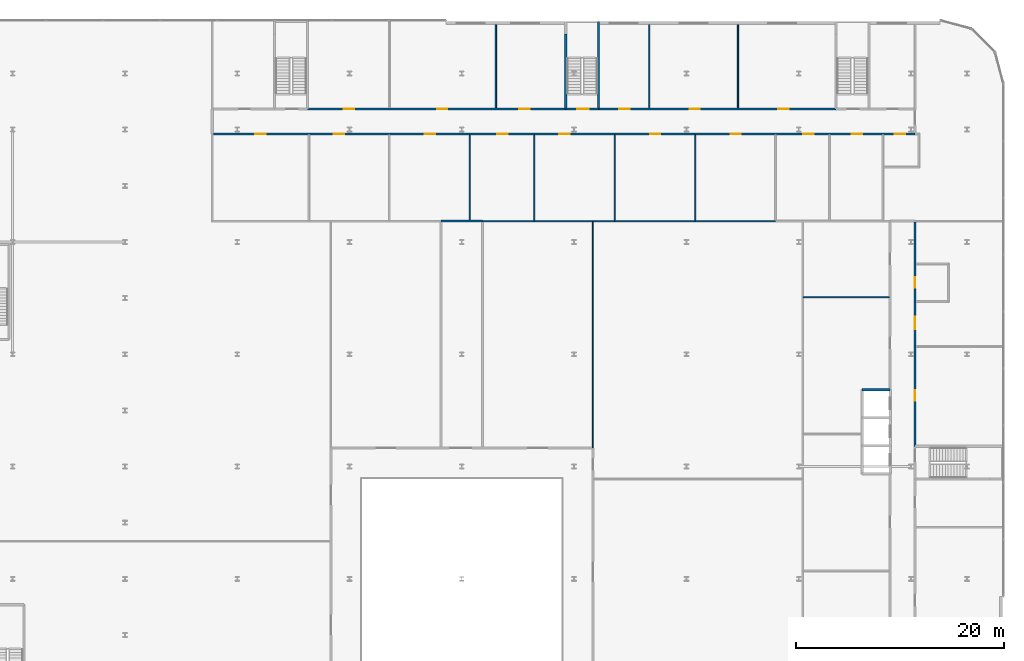
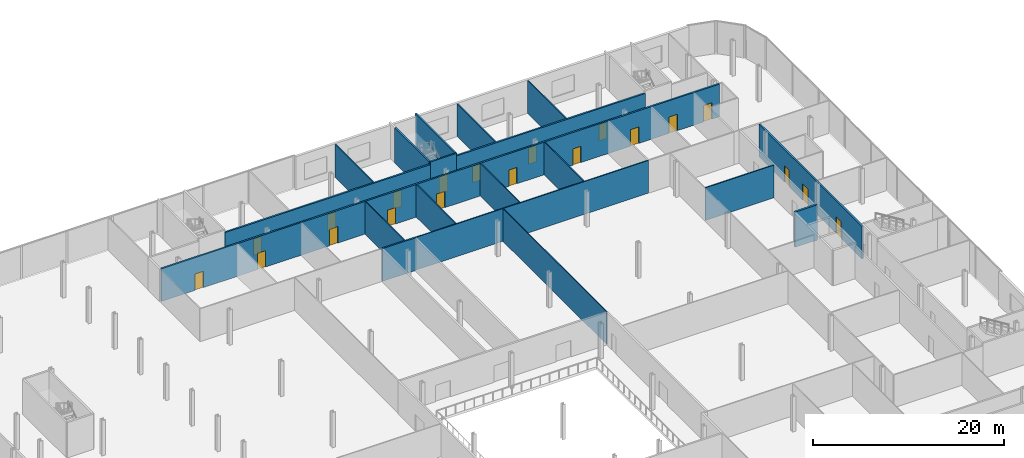
# One storey, part 35 of 47: 20 doors, 19 walls, 20 openings.
"""IFC4 building model written with IfcOpenShell, lengths in metres."""

from ifc_helpers import new_model, si_unit, direction, frame, frame_2d, origin, place, context, subcontext, project, spatial, rectangle, extrude, source, transform, mapped, material, layer, layer_set, type_object, element, fill, save


model = new_model("IFC4")

# Units and contexts
model_context = context("Model", 3, precision=1e-05, world=origin(), true_north=direction((0.0, 1.0)))
body_context = subcontext(model_context, "Body", "Model", "MODEL_VIEW")
ifc_project = project(units=[si_unit("LENGTHUNIT", "METRE"), si_unit("AREAUNIT", "SQUARE_METRE"), si_unit("VOLUMEUNIT", "CUBIC_METRE"), si_unit("PLANEANGLEUNIT", "RADIAN"), si_unit("MASSUNIT", "GRAM", prefix="KILO")], contexts=[model_context])

# Site, building, storey
site_placement = place(None, origin())
site = spatial("IfcSite", under=ifc_project, at=site_placement, CompositionType="ELEMENT")
building_placement = place(site_placement, origin())
building = spatial("IfcBuilding", under=site, at=building_placement, Name="Kheshtan School and Residences Tower", CompositionType="ELEMENT")
storey_placement = place(building_placement, frame((0.0, 0.0, 21.5)))
storey = spatial("IfcBuildingStorey", under=building, at=storey_placement, Name="L04", CompositionType="ELEMENT", Elevation=21.5)

# Walls
ifc_material_1 = material(Name="Gypsum board on steel studs with mineral wool", Category="steel")
ifc_layer_1 = layer(ifc_material_1, 0.125)
ifc_layer_set_1 = layer_set([ifc_layer_1], Name="Acoustic partition 125")
wall_type_1 = type_object("IfcWallType", Name="Acoustic partition 125", PredefinedType="PARTITIONING", material=ifc_layer_set_1)
wall_1_placement = place(storey_placement, frame((80.76904296875, 90.89990234375, 0.0), z_axis=(0.0, 0.0, 1.0), x_axis=(0.0, 1.0, 0.0)))
element("IfcWall", 1, at=wall_1_placement, inside=storey, type_object=wall_type_1, Name="Partition L04-039", PredefinedType="PARTITIONING", context=body_context, shape_type="SweptSolid", body=[
    extrude(rectangle(XDim=8.2001953125, YDim=0.125, at=frame_2d((4.10009765625, 0.0))), origin(), (0.0, 0.0, 1.0), 4.179931640625),
])
wall_2_placement = place(storey_placement, frame((82.0, 90.800048828125, 0.0), z_axis=(0.0, 0.0, 1.0), x_axis=(1.0, 0.0, 0.0)))
element("IfcWall", 2, at=wall_2_placement, inside=storey, type_object=wall_type_1, Name="Partition L04-041", PredefinedType="PARTITIONING", context=body_context, shape_type="SweptSolid", body=[
    extrude(rectangle(XDim=28.18310546875, YDim=0.125, at=frame_2d((14.091552734375, 0.0))), origin(), (0.0, 0.0, 1.0), 4.179931640625),
])
for number, where, z_axis, x_axis, name in (
    (3, (86.9619140625, 90.862060546875, 0.0), (0.0, 0.0, 1.0), (0.0, 1.0, 0.0), "Partition L04-043"),
    (4, (94.701904296875, 90.862060546875, 0.0), (0.0, 0.0, 1.0), (0.0, 1.0, 0.0), "Partition L04-058"),
):
    element("IfcWall", number, at=place(storey_placement, frame(where, z_axis=z_axis, x_axis=x_axis)), inside=storey, type_object=wall_type_1, Name=name, PredefinedType="PARTITIONING", context=body_context, shape_type="SweptSolid", body=[
        extrude(rectangle(XDim=8.238037109375, YDim=0.125, at=frame_2d((4.119140625, 0.0))), origin(), (0.0, 0.0, 1.0), 4.179931640625),
    ])
wall_3_placement = place(storey_placement, frame((98.037109375, 101.699951171875, 0.0), z_axis=(0.0, 0.0, 1.0), x_axis=(0.0, 1.0, 0.0)))
element("IfcWall", 5, at=wall_3_placement, inside=storey, type_object=wall_type_1, Name="Partition L04-059", PredefinedType="PARTITIONING", context=body_context, shape_type="SweptSolid", body=[
    extrude(rectangle(XDim=8.0009765625, YDim=0.125, at=frame_2d((4.00048828125, 0.0))), origin(), (0.0, 0.0, 1.0), 4.179931640625),
])
wall_4_placement = place(storey_placement, frame((102.443115234375, 90.862060546875, 0.0), z_axis=(0.0, 0.0, 1.0), x_axis=(0.0, 1.0, 0.0)))
element("IfcWall", 6, at=wall_4_placement, inside=storey, type_object=wall_type_1, Name="Partition L04-060", PredefinedType="PARTITIONING", context=body_context, shape_type="SweptSolid", body=[
    extrude(rectangle(XDim=8.238037109375, YDim=0.125, at=frame_2d((4.119140625, 0.0))), origin(), (0.0, 0.0, 1.0), 4.179931640625),
])
wall_5_placement = place(storey_placement, frame((106.55810546875, 101.699951171875, 0.0), z_axis=(0.0, 0.0, 1.0), x_axis=(0.0, 1.0, 0.0)))
element("IfcWall", 7, at=wall_5_placement, inside=storey, type_object=wall_type_1, Name="Partition L04-063", PredefinedType="PARTITIONING", context=body_context, shape_type="SweptSolid", body=[
    extrude(rectangle(XDim=8.0009765625, YDim=0.125, at=frame_2d((4.00048828125, 0.0))), origin(), (0.0, 0.0, 1.0), 4.179931640625),
])
wall_6_placement = place(storey_placement, frame((112.862060546875, 83.487060546875, 0.0), z_axis=(0.0, 0.0, 1.0), x_axis=(1.0, 0.0, 0.0)))
element("IfcWall", 8, at=wall_6_placement, inside=storey, type_object=wall_type_1, Name="Partition L04-072", PredefinedType="PARTITIONING", context=body_context, shape_type="SweptSolid", body=[
    extrude(rectangle(XDim=8.238037109375, YDim=0.125, at=frame_2d((4.119140625, 0.0))), origin(), (0.0, 0.0, 1.0), 4.179931640625),
])

# Wall, openings, doors
ifc_material_2 = material(Name="Gypsum board on steel studs with fire boards", Category="steel")
ifc_layer_2 = layer(ifc_material_2, 0.199951171875)
ifc_layer_set_2 = layer_set([ifc_layer_2], Name="Corridor wall 200")
wall_type_2 = type_object("IfcWallType", Name="Corridor wall 200", PredefinedType="PARTITIONING", material=ifc_layer_set_2)
wall_7_placement = place(storey_placement, frame((56.10009765625, 99.199951171875, 0.0), z_axis=(0.0, 0.0, 1.0), x_axis=(1.0, 0.0, 0.0)))
wall_7 = element("IfcWall", 9, at=wall_7_placement, inside=storey, type_object=wall_type_2, Name="Partition L04-024", PredefinedType="PARTITIONING", context=body_context, shape_type="SweptSolid", body=[
    extrude(rectangle(XDim=67.5, YDim=0.199951171875, at=frame_2d((33.75, 0.0))), origin(), (0.0, 0.0, 1.0), 4.179931640625),
])
opening_1_placement = place(wall_7_placement, frame((4.050048828125, 0.0, 0.0)))
opening_1 = element("IfcOpeningElement", 10, at=opening_1_placement, cuts=wall_7, Name="Opening D04-013", PredefinedType="OPENING", context=body_context, shape_type="SweptSolid", body=[
    extrude(rectangle(XDim=1.0, YDim=2.10009765625, at=frame_2d((0.5, 1.050048828125))), frame((0.0, 0.10986328125, 0.0), z_axis=(0.0, -1.0, 0.0), x_axis=(1.0, 0.0, 0.0)), (0.0, 0.0, 1.0), 0.219970703125),
])
opening_2_placement = place(wall_7_placement, frame((65.553955078125, 0.0, 0.0)))
opening_2 = element("IfcOpeningElement", 11, at=opening_2_placement, cuts=wall_7, Name="Opening D04-014", PredefinedType="OPENING", context=body_context, shape_type="SweptSolid", body=[
    extrude(rectangle(XDim=1.0, YDim=2.10009765625, at=frame_2d((0.5, 1.050048828125))), frame((0.0, 0.10986328125, 0.0), z_axis=(0.0, -1.0, 0.0), x_axis=(1.0, 0.0, 0.0)), (0.0, 0.0, 1.0), 0.219970703125),
])
opening_3_placement = place(wall_7_placement, frame((11.589111328125, 0.0, 0.0)))
opening_3 = element("IfcOpeningElement", 12, at=opening_3_placement, cuts=wall_7, Name="Opening D04-016", PredefinedType="OPENING", context=body_context, shape_type="SweptSolid", body=[
    extrude(rectangle(XDim=1.0, YDim=2.10009765625, at=frame_2d((0.5, 1.050048828125))), frame((0.0, 0.10986328125, 0.0), z_axis=(0.0, -1.0, 0.0), x_axis=(1.0, 0.0, 0.0)), (0.0, 0.0, 1.0), 0.219970703125),
])
opening_4_placement = place(wall_7_placement, frame((20.3291015625, 0.0, 0.0)))
opening_4 = element("IfcOpeningElement", 13, at=opening_4_placement, cuts=wall_7, Name="Opening D04-017", PredefinedType="OPENING", context=body_context, shape_type="SweptSolid", body=[
    extrude(rectangle(XDim=1.0, YDim=2.10009765625, at=frame_2d((0.5, 1.050048828125))), frame((0.0, 0.10986328125, 0.0), z_axis=(0.0, -1.0, 0.0), x_axis=(1.0, 0.0, 0.0)), (0.0, 0.0, 1.0), 0.219970703125),
])
opening_5_placement = place(wall_7_placement, frame((27.319091796875, 0.0, 0.0)))
opening_5 = element("IfcOpeningElement", 14, at=opening_5_placement, cuts=wall_7, Name="Opening D04-018", PredefinedType="OPENING", context=body_context, shape_type="SweptSolid", body=[
    extrude(rectangle(XDim=1.0, YDim=2.10009765625, at=frame_2d((0.5, 1.050048828125))), frame((0.0, 0.10986328125, 0.0), z_axis=(0.0, -1.0, 0.0), x_axis=(1.0, 0.0, 0.0)), (0.0, 0.0, 1.0), 0.219970703125),
])
opening_6_placement = place(wall_7_placement, frame((33.261962890625, 0.0, 0.0)))
opening_6 = element("IfcOpeningElement", 15, at=opening_6_placement, cuts=wall_7, Name="Opening D04-019", PredefinedType="OPENING", context=body_context, shape_type="SweptSolid", body=[
    extrude(rectangle(XDim=1.0, YDim=2.10009765625, at=frame_2d((0.5, 1.050048828125))), frame((0.0, 0.10986328125, 0.0), z_axis=(0.0, -1.0, 0.0), x_axis=(1.0, 0.0, 0.0)), (0.0, 0.0, 1.0), 0.219970703125),
])
opening_7_placement = place(wall_7_placement, frame((42.001953125, 0.0, 0.0)))
opening_7 = element("IfcOpeningElement", 16, at=opening_7_placement, cuts=wall_7, Name="Opening D04-020", PredefinedType="OPENING", context=body_context, shape_type="SweptSolid", body=[
    extrude(rectangle(XDim=1.0, YDim=2.10009765625, at=frame_2d((0.5, 1.050048828125))), frame((0.0, 0.10986328125, 0.0), z_axis=(0.0, -1.0, 0.0), x_axis=(1.0, 0.0, 0.0)), (0.0, 0.0, 1.0), 0.219970703125),
])
opening_8_placement = place(wall_7_placement, frame((49.742919921875, 0.0, 0.0)))
opening_8 = element("IfcOpeningElement", 17, at=opening_8_placement, cuts=wall_7, Name="Opening D04-021", PredefinedType="OPENING", context=body_context, shape_type="SweptSolid", body=[
    extrude(rectangle(XDim=1.0, YDim=2.10009765625, at=frame_2d((0.5, 1.050048828125))), frame((0.0, 0.10986328125, 0.0), z_axis=(0.0, -1.0, 0.0), x_axis=(1.0, 0.0, 0.0)), (0.0, 0.0, 1.0), 0.219970703125),
])
opening_9_placement = place(wall_7_placement, frame((56.73291015625, 0.0, 0.0)))
opening_9 = element("IfcOpeningElement", 18, at=opening_9_placement, cuts=wall_7, Name="Opening D04-022", PredefinedType="OPENING", context=body_context, shape_type="SweptSolid", body=[
    extrude(rectangle(XDim=1.0, YDim=2.10009765625, at=frame_2d((0.5, 1.050048828125))), frame((0.0, 0.10986328125, 0.0), z_axis=(0.0, -1.0, 0.0), x_axis=(1.0, 0.0, 0.0)), (0.0, 0.0, 1.0), 0.219970703125),
])
opening_10_placement = place(wall_7_placement, frame((61.39404296875, 0.0, 0.0)))
opening_10 = element("IfcOpeningElement", 19, at=opening_10_placement, cuts=wall_7, Name="Opening D04-023", PredefinedType="OPENING", context=body_context, shape_type="SweptSolid", body=[
    extrude(rectangle(XDim=1.0, YDim=2.10009765625, at=frame_2d((0.5, 1.050048828125))), frame((0.0, 0.10986328125, 0.0), z_axis=(0.0, -1.0, 0.0), x_axis=(1.0, 0.0, 0.0)), (0.0, 0.0, 1.0), 0.219970703125),
])
ifc_material_3 = material(Name="Steel-framed fire-resisting door leaf", Category="steel")
door_type_1 = type_object("IfcDoorType", Name="Fire door FD60 1000 x 2100", OperationType="SINGLE_SWING_LEFT", PredefinedType="DOOR", material=ifc_material_3)
shared_shape_1 = source(origin(), body_context, "Body", "SweptSolid", [
    extrude(rectangle(XDim=1.0, YDim=2.10009765625, at=frame_2d((0.5, 1.050048828125))), frame((0.0, 0.02490234375, 0.0), z_axis=(0.0, -1.0, 0.0), x_axis=(1.0, 0.0, 0.0)), (0.0, 0.0, 1.0), 0.050048828125),
])
door_1_placement = place(opening_1_placement, origin())
door_1 = element("IfcDoor", 20, at=door_1_placement, inside=storey, type_object=door_type_1, Name="Door D04-013", OperationType="SINGLE_SWING_LEFT", OverallHeight=2.10009765625, OverallWidth=1.0, PredefinedType="DOOR", context=body_context, shape_type="MappedRepresentation", body=[
    mapped(shared_shape_1, transform((0.0, 0.0, 0.0), x_axis=(1.0, 0.0, 0.0), y_axis=(0.0, 1.0, 0.0), z_axis=(0.0, 0.0, 1.0), scale=1.0)),
])
fill(opening_1, door_1)
door_2_placement = place(opening_2_placement, origin())
door_2 = element("IfcDoor", 21, at=door_2_placement, inside=storey, type_object=door_type_1, Name="Door D04-014", OperationType="SINGLE_SWING_RIGHT", OverallHeight=2.10009765625, OverallWidth=1.0, PredefinedType="DOOR", context=body_context, shape_type="MappedRepresentation", body=[
    mapped(shared_shape_1, transform((0.0, 0.0, 0.0), x_axis=(1.0, 0.0, 0.0), y_axis=(0.0, 1.0, 0.0), z_axis=(0.0, 0.0, 1.0), scale=1.0)),
])
fill(opening_2, door_2)
door_3_placement = place(opening_3_placement, origin())
door_3 = element("IfcDoor", 22, at=door_3_placement, inside=storey, type_object=door_type_1, Name="Door D04-016", OperationType="SINGLE_SWING_LEFT", OverallHeight=2.10009765625, OverallWidth=1.0, PredefinedType="DOOR", context=body_context, shape_type="MappedRepresentation", body=[
    mapped(shared_shape_1, transform((0.0, 0.0, 0.0), x_axis=(1.0, 0.0, 0.0), y_axis=(0.0, 1.0, 0.0), z_axis=(0.0, 0.0, 1.0), scale=1.0)),
])
fill(opening_3, door_3)
door_4_placement = place(opening_4_placement, origin())
door_4 = element("IfcDoor", 23, at=door_4_placement, inside=storey, type_object=door_type_1, Name="Door D04-017", OperationType="SINGLE_SWING_RIGHT", OverallHeight=2.10009765625, OverallWidth=1.0, PredefinedType="DOOR", context=body_context, shape_type="MappedRepresentation", body=[
    mapped(shared_shape_1, transform((0.0, 0.0, 0.0), x_axis=(1.0, 0.0, 0.0), y_axis=(0.0, 1.0, 0.0), z_axis=(0.0, 0.0, 1.0), scale=1.0)),
])
fill(opening_4, door_4)
door_5_placement = place(opening_5_placement, origin())
door_5 = element("IfcDoor", 24, at=door_5_placement, inside=storey, type_object=door_type_1, Name="Door D04-018", OperationType="SINGLE_SWING_RIGHT", OverallHeight=2.10009765625, OverallWidth=1.0, PredefinedType="DOOR", context=body_context, shape_type="MappedRepresentation", body=[
    mapped(shared_shape_1, transform((0.0, 0.0, 0.0), x_axis=(1.0, 0.0, 0.0), y_axis=(0.0, 1.0, 0.0), z_axis=(0.0, 0.0, 1.0), scale=1.0)),
])
fill(opening_5, door_5)
door_6_placement = place(opening_6_placement, origin())
door_6 = element("IfcDoor", 25, at=door_6_placement, inside=storey, type_object=door_type_1, Name="Door D04-019", OperationType="SINGLE_SWING_RIGHT", OverallHeight=2.10009765625, OverallWidth=1.0, PredefinedType="DOOR", context=body_context, shape_type="MappedRepresentation", body=[
    mapped(shared_shape_1, transform((0.0, 0.0, 0.0), x_axis=(1.0, 0.0, 0.0), y_axis=(0.0, 1.0, 0.0), z_axis=(0.0, 0.0, 1.0), scale=1.0)),
])
fill(opening_6, door_6)
door_7_placement = place(opening_7_placement, origin())
door_7 = element("IfcDoor", 26, at=door_7_placement, inside=storey, type_object=door_type_1, Name="Door D04-020", OperationType="SINGLE_SWING_LEFT", OverallHeight=2.10009765625, OverallWidth=1.0, PredefinedType="DOOR", context=body_context, shape_type="MappedRepresentation", body=[
    mapped(shared_shape_1, transform((0.0, 0.0, 0.0), x_axis=(1.0, 0.0, 0.0), y_axis=(0.0, 1.0, 0.0), z_axis=(0.0, 0.0, 1.0), scale=1.0)),
])
fill(opening_7, door_7)
door_8_placement = place(opening_8_placement, origin())
door_8 = element("IfcDoor", 27, at=door_8_placement, inside=storey, type_object=door_type_1, Name="Door D04-021", OperationType="SINGLE_SWING_RIGHT", OverallHeight=2.10009765625, OverallWidth=1.0, PredefinedType="DOOR", context=body_context, shape_type="MappedRepresentation", body=[
    mapped(shared_shape_1, transform((0.0, 0.0, 0.0), x_axis=(1.0, 0.0, 0.0), y_axis=(0.0, 1.0, 0.0), z_axis=(0.0, 0.0, 1.0), scale=1.0)),
])
fill(opening_8, door_8)
door_9_placement = place(opening_9_placement, origin())
door_9 = element("IfcDoor", 28, at=door_9_placement, inside=storey, type_object=door_type_1, Name="Door D04-022", OperationType="SINGLE_SWING_LEFT", OverallHeight=2.10009765625, OverallWidth=1.0, PredefinedType="DOOR", context=body_context, shape_type="MappedRepresentation", body=[
    mapped(shared_shape_1, transform((0.0, 0.0, 0.0), x_axis=(1.0, 0.0, 0.0), y_axis=(0.0, 1.0, 0.0), z_axis=(0.0, 0.0, 1.0), scale=1.0)),
])
fill(opening_9, door_9)
door_10_placement = place(opening_10_placement, origin())
door_10 = element("IfcDoor", 29, at=door_10_placement, inside=storey, type_object=door_type_1, Name="Door D04-023", OperationType="SINGLE_SWING_LEFT", OverallHeight=2.10009765625, OverallWidth=1.0, PredefinedType="DOOR", context=body_context, shape_type="MappedRepresentation", body=[
    mapped(shared_shape_1, transform((0.0, 0.0, 0.0), x_axis=(1.0, 0.0, 0.0), y_axis=(0.0, 1.0, 0.0), z_axis=(0.0, 0.0, 1.0), scale=1.0)),
])
fill(opening_10, door_10)

wall_8_placement = place(storey_placement, frame((65.14990234375, 101.60009765625, 0.0), z_axis=(0.0, 0.0, 1.0), x_axis=(1.0, 0.0, 0.0)))
wall_8 = element("IfcWall", 30, at=wall_8_placement, inside=storey, type_object=wall_type_2, Name="Partition L04-026", PredefinedType="PARTITIONING", context=body_context, shape_type="SweptSolid", body=[
    extrude(rectangle(XDim=24.85009765625, YDim=0.199951171875, at=frame_2d((12.425048828125, 0.0))), origin(), (0.0, 0.0, 1.0), 4.179931640625),
])
opening_11_placement = place(wall_8_placement, frame((3.491943359375, 0.0, 0.0)))
opening_11 = element("IfcOpeningElement", 31, at=opening_11_placement, cuts=wall_8, Name="Opening D04-025", PredefinedType="OPENING", context=body_context, shape_type="SweptSolid", body=[
    extrude(rectangle(XDim=1.0, YDim=2.10009765625, at=frame_2d((0.5, 1.050048828125))), frame((0.0, 0.10986328125, 0.0), z_axis=(0.0, -1.0, 0.0), x_axis=(1.0, 0.0, 0.0)), (0.0, 0.0, 1.0), 0.219970703125),
])
opening_12_placement = place(wall_8_placement, frame((12.467041015625, 0.0, 0.0)))
opening_12 = element("IfcOpeningElement", 32, at=opening_12_placement, cuts=wall_8, Name="Opening D04-026", PredefinedType="OPENING", context=body_context, shape_type="SweptSolid", body=[
    extrude(rectangle(XDim=1.0, YDim=2.10009765625, at=frame_2d((0.5, 1.050048828125))), frame((0.0, 0.10986328125, 0.0), z_axis=(0.0, -1.0, 0.0), x_axis=(1.0, 0.0, 0.0)), (0.0, 0.0, 1.0), 0.219970703125),
])
opening_13_placement = place(wall_8_placement, frame((20.39794921875, 0.0, 0.0)))
opening_13 = element("IfcOpeningElement", 33, at=opening_13_placement, cuts=wall_8, Name="Opening D04-027", PredefinedType="OPENING", context=body_context, shape_type="SweptSolid", body=[
    extrude(rectangle(XDim=1.0, YDim=2.10009765625, at=frame_2d((0.5, 1.050048828125))), frame((0.0, 0.10986328125, 0.0), z_axis=(0.0, -1.0, 0.0), x_axis=(1.0, 0.0, 0.0)), (0.0, 0.0, 1.0), 0.219970703125),
])
door_11_placement = place(opening_11_placement, origin())
door_11 = element("IfcDoor", 34, at=door_11_placement, inside=storey, type_object=door_type_1, Name="Door D04-025", OperationType="SINGLE_SWING_LEFT", OverallHeight=2.10009765625, OverallWidth=1.0, PredefinedType="DOOR", context=body_context, shape_type="MappedRepresentation", body=[
    mapped(shared_shape_1, transform((0.0, 0.0, 0.0), x_axis=(1.0, 0.0, 0.0), y_axis=(0.0, 1.0, 0.0), z_axis=(0.0, 0.0, 1.0), scale=1.0)),
])
fill(opening_11, door_11)
door_12_placement = place(opening_12_placement, origin())
door_12 = element("IfcDoor", 35, at=door_12_placement, inside=storey, type_object=door_type_1, Name="Door D04-026", OperationType="SINGLE_SWING_LEFT", OverallHeight=2.10009765625, OverallWidth=1.0, PredefinedType="DOOR", context=body_context, shape_type="MappedRepresentation", body=[
    mapped(shared_shape_1, transform((0.0, 0.0, 0.0), x_axis=(1.0, 0.0, 0.0), y_axis=(0.0, 1.0, 0.0), z_axis=(0.0, 0.0, 1.0), scale=1.0)),
])
fill(opening_12, door_12)
door_13_placement = place(opening_13_placement, origin())
door_13 = element("IfcDoor", 36, at=door_13_placement, inside=storey, type_object=door_type_1, Name="Door D04-027", OperationType="SINGLE_SWING_RIGHT", OverallHeight=2.10009765625, OverallWidth=1.0, PredefinedType="DOOR", context=body_context, shape_type="MappedRepresentation", body=[
    mapped(shared_shape_1, transform((0.0, 0.0, 0.0), x_axis=(1.0, 0.0, 0.0), y_axis=(0.0, 1.0, 0.0), z_axis=(0.0, 0.0, 1.0), scale=1.0)),
])
fill(opening_13, door_13)

# Wall
wall_9_placement = place(storey_placement, frame((78.0, 90.800048828125, 0.0), z_axis=(0.0, 0.0, 1.0), x_axis=(1.0, 0.0, 0.0)))
element("IfcWall", 37, at=wall_9_placement, inside=storey, type_object=wall_type_2, Name="Partition L04-037", PredefinedType="PARTITIONING", context=body_context, shape_type="SweptSolid", body=[
    extrude(rectangle(XDim=4.0, YDim=0.199951171875, at=frame_2d((2.0, 0.0))), origin(), (0.0, 0.0, 1.0), 4.179931640625),
])

# Wall, openings, doors
wall_10_placement = place(storey_placement, frame((93.14990234375, 101.60009765625, 0.0), z_axis=(0.0, 0.0, 1.0), x_axis=(1.0, 0.0, 0.0)))
wall_10 = element("IfcWall", 38, at=wall_10_placement, inside=storey, type_object=wall_type_2, Name="Partition L04-057", PredefinedType="PARTITIONING", context=body_context, shape_type="SweptSolid", body=[
    extrude(rectangle(XDim=22.85009765625, YDim=0.199951171875, at=frame_2d((11.425048828125, 0.0))), origin(), (0.0, 0.0, 1.0), 4.179931640625),
])
opening_14_placement = place(wall_10_placement, frame((1.987060546875, 0.0, 0.0)))
opening_14 = element("IfcOpeningElement", 39, at=opening_14_placement, cuts=wall_10, Name="Opening D04-028", PredefinedType="OPENING", context=body_context, shape_type="SweptSolid", body=[
    extrude(rectangle(XDim=1.0, YDim=2.10009765625, at=frame_2d((0.5, 1.050048828125))), frame((0.0, 0.10986328125, 0.0), z_axis=(0.0, -1.0, 0.0), x_axis=(1.0, 0.0, 0.0)), (0.0, 0.0, 1.0), 0.219970703125),
])
opening_15_placement = place(wall_10_placement, frame((8.758056640625, 0.0, 0.0)))
opening_15 = element("IfcOpeningElement", 40, at=opening_15_placement, cuts=wall_10, Name="Opening D04-029", PredefinedType="OPENING", context=body_context, shape_type="SweptSolid", body=[
    extrude(rectangle(XDim=1.0, YDim=2.10009765625, at=frame_2d((0.5, 1.050048828125))), frame((0.0, 0.10986328125, 0.0), z_axis=(0.0, -1.0, 0.0), x_axis=(1.0, 0.0, 0.0)), (0.0, 0.0, 1.0), 0.219970703125),
])
opening_16_placement = place(wall_10_placement, frame((17.279052734375, 0.0, 0.0)))
opening_16 = element("IfcOpeningElement", 41, at=opening_16_placement, cuts=wall_10, Name="Opening D04-030", PredefinedType="OPENING", context=body_context, shape_type="SweptSolid", body=[
    extrude(rectangle(XDim=1.0, YDim=2.10009765625, at=frame_2d((0.5, 1.050048828125))), frame((0.0, 0.10986328125, 0.0), z_axis=(0.0, -1.0, 0.0), x_axis=(1.0, 0.0, 0.0)), (0.0, 0.0, 1.0), 0.219970703125),
])
door_14_placement = place(opening_14_placement, origin())
door_14 = element("IfcDoor", 42, at=door_14_placement, inside=storey, type_object=door_type_1, Name="Door D04-028", OperationType="SINGLE_SWING_RIGHT", OverallHeight=2.10009765625, OverallWidth=1.0, PredefinedType="DOOR", context=body_context, shape_type="MappedRepresentation", body=[
    mapped(shared_shape_1, transform((0.0, 0.0, 0.0), x_axis=(1.0, 0.0, 0.0), y_axis=(0.0, 1.0, 0.0), z_axis=(0.0, 0.0, 1.0), scale=1.0)),
])
fill(opening_14, door_14)
door_15_placement = place(opening_15_placement, origin())
door_15 = element("IfcDoor", 43, at=door_15_placement, inside=storey, type_object=door_type_1, Name="Door D04-029", OperationType="SINGLE_SWING_RIGHT", OverallHeight=2.10009765625, OverallWidth=1.0, PredefinedType="DOOR", context=body_context, shape_type="MappedRepresentation", body=[
    mapped(shared_shape_1, transform((0.0, 0.0, 0.0), x_axis=(1.0, 0.0, 0.0), y_axis=(0.0, 1.0, 0.0), z_axis=(0.0, 0.0, 1.0), scale=1.0)),
])
fill(opening_15, door_15)
door_16_placement = place(opening_16_placement, origin())
door_16 = element("IfcDoor", 44, at=door_16_placement, inside=storey, type_object=door_type_1, Name="Door D04-030", OperationType="SINGLE_SWING_LEFT", OverallHeight=2.10009765625, OverallWidth=1.0, PredefinedType="DOOR", context=body_context, shape_type="MappedRepresentation", body=[
    mapped(shared_shape_1, transform((0.0, 0.0, 0.0), x_axis=(1.0, 0.0, 0.0), y_axis=(0.0, 1.0, 0.0), z_axis=(0.0, 0.0, 1.0), scale=1.0)),
])
fill(opening_16, door_16)

wall_11_placement = place(storey_placement, frame((123.60009765625, 69.14990234375, 0.0), z_axis=(0.0, 0.0, 1.0), x_axis=(0.0, 1.0, 0.0)))
wall_11 = element("IfcWall", 45, at=wall_11_placement, inside=storey, type_object=wall_type_2, Name="Partition L04-086", PredefinedType="PARTITIONING", context=body_context, shape_type="SweptSolid", body=[
    extrude(rectangle(XDim=21.550048828125, YDim=0.199951171875, at=frame_2d((10.77490234375, 0.0))), origin(), (0.0, 0.0, 1.0), 4.179931640625),
])
opening_17_placement = place(wall_11_placement, frame((4.39990234375, 0.0, 0.0)))
opening_17 = element("IfcOpeningElement", 46, at=opening_17_placement, cuts=wall_11, Name="Opening D04-007", PredefinedType="OPENING", context=body_context, shape_type="SweptSolid", body=[
    extrude(rectangle(XDim=1.0, YDim=2.10009765625, at=frame_2d((0.5, 1.050048828125))), frame((0.0, 0.10986328125, 0.0), z_axis=(0.0, -1.0, 0.0), x_axis=(1.0, 0.0, 0.0)), (0.0, 0.0, 1.0), 0.219970703125),
])
opening_18_placement = place(wall_11_placement, frame((15.238037109375, 0.0, 0.0)))
opening_18 = element("IfcOpeningElement", 47, at=opening_18_placement, cuts=wall_11, Name="Opening D04-008", PredefinedType="OPENING", context=body_context, shape_type="SweptSolid", body=[
    extrude(rectangle(XDim=1.0, YDim=2.10009765625, at=frame_2d((0.5, 1.050048828125))), frame((0.0, 0.10986328125, 0.0), z_axis=(0.0, -1.0, 0.0), x_axis=(1.0, 0.0, 0.0)), (0.0, 0.0, 1.0), 0.219970703125),
])
opening_19_placement = place(wall_11_placement, frame((11.238037109375, 0.0, 0.0)))
opening_19 = element("IfcOpeningElement", 48, at=opening_19_placement, cuts=wall_11, Name="Opening D04-009", PredefinedType="OPENING", context=body_context, shape_type="SweptSolid", body=[
    extrude(rectangle(XDim=1.199951171875, YDim=2.10009765625, at=frame_2d((0.60009765625, 1.050048828125))), frame((0.0, 0.10986328125, 0.0), z_axis=(0.0, -1.0, 0.0), x_axis=(1.0, 0.0, 0.0)), (0.0, 0.0, 1.0), 0.219970703125),
])
door_17_placement = place(opening_17_placement, origin())
door_17 = element("IfcDoor", 49, at=door_17_placement, inside=storey, type_object=door_type_1, Name="Door D04-007", OperationType="SINGLE_SWING_LEFT", OverallHeight=2.10009765625, OverallWidth=1.0, PredefinedType="DOOR", context=body_context, shape_type="MappedRepresentation", body=[
    mapped(shared_shape_1, transform((0.0, 0.0, 0.0), x_axis=(1.0, 0.0, 0.0), y_axis=(0.0, 1.0, 0.0), z_axis=(0.0, 0.0, 1.0), scale=1.0)),
])
fill(opening_17, door_17)
door_18_placement = place(opening_18_placement, origin())
door_18 = element("IfcDoor", 50, at=door_18_placement, inside=storey, type_object=door_type_1, Name="Door D04-008", OperationType="SINGLE_SWING_LEFT", OverallHeight=2.10009765625, OverallWidth=1.0, PredefinedType="DOOR", context=body_context, shape_type="MappedRepresentation", body=[
    mapped(shared_shape_1, transform((0.0, 0.0, 0.0), x_axis=(1.0, 0.0, 0.0), y_axis=(0.0, 1.0, 0.0), z_axis=(0.0, 0.0, 1.0), scale=1.0)),
])
fill(opening_18, door_18)
door_type_2 = type_object("IfcDoorType", Name="Fire door FD60 1200 x 2100", OperationType="SINGLE_SWING_LEFT", PredefinedType="DOOR", material=ifc_material_3)
shared_shape_2 = source(origin(), body_context, "Body", "SweptSolid", [
    extrude(rectangle(XDim=1.199951171875, YDim=2.10009765625, at=frame_2d((0.60009765625, 1.050048828125))), frame((0.0, 0.02490234375, 0.0), z_axis=(0.0, -1.0, 0.0), x_axis=(1.0, 0.0, 0.0)), (0.0, 0.0, 1.0), 0.050048828125),
])
door_19_placement = place(opening_19_placement, origin())
door_19 = element("IfcDoor", 51, at=door_19_placement, inside=storey, type_object=door_type_2, Name="Door D04-009", OperationType="SINGLE_SWING_LEFT", OverallHeight=2.10009765625, OverallWidth=1.199951171875, PredefinedType="DOOR", context=body_context, shape_type="MappedRepresentation", body=[
    mapped(shared_shape_2, transform((0.0, 0.0, 0.0), x_axis=(1.0, 0.0, 0.0), y_axis=(0.0, 1.0, 0.0), z_axis=(0.0, 0.0, 1.0), scale=1.0)),
])
fill(opening_19, door_19)

# Walls
ifc_material_4 = material(Name="Gypsum board on steel studs", Category="steel")
ifc_layer_3 = layer(ifc_material_4, 0.10009765625)
ifc_layer_set_3 = layer_set([ifc_layer_3], Name="Gypsum partition 100")
wall_type_3 = type_object("IfcWallType", Name="Gypsum partition 100", PredefinedType="PARTITIONING", material=ifc_layer_set_3)
wall_12_placement = place(storey_placement, frame((92.60009765625, 69.0, 0.0), z_axis=(0.0, 0.0, 1.0), x_axis=(0.0, 1.0, 0.0)))
element("IfcWall", 52, at=wall_12_placement, inside=storey, type_object=wall_type_3, Name="Partition L04-055", PredefinedType="PARTITIONING", context=body_context, shape_type="SweptSolid", body=[
    extrude(rectangle(XDim=21.738037109375, YDim=0.10009765625, at=frame_2d((10.869140625, 0.0))), origin(), (0.0, 0.0, 1.0), 4.179931640625),
])
ifc_material_5 = material(Name="Fire-board shaft wall system")
ifc_layer_4 = layer(ifc_material_5, 0.25)
ifc_layer_set_4 = layer_set([ifc_layer_4], Name="Shaft lining wall 250")
wall_type_4 = type_object("IfcWallType", Name="Shaft lining wall 250", PredefinedType="PARTITIONING", material=ifc_layer_set_4)
wall_13_placement = place(storey_placement, frame((118.5, 74.60009765625, 0.0), z_axis=(0.0, 0.0, 1.0), x_axis=(1.0, 0.0, 0.0)))
element("IfcWall", 53, at=wall_13_placement, inside=storey, type_object=wall_type_4, Name="Shaft lining wall", PredefinedType="PARTITIONING", context=body_context, shape_type="SweptSolid", body=[
    extrude(rectangle(XDim=2.699951171875, YDim=0.25, at=frame_2d((1.35009765625, 0.0))), origin(), (0.0, 0.0, 1.0), 4.5),
])

# Wall, opening, door
ifc_material_6 = material(Name="Concrete C40/50", Category="concrete")
ifc_layer_5 = layer(ifc_material_6, 0.199951171875)
ifc_layer_set_5 = layer_set([ifc_layer_5], Name="Stair enclosure wall 200 Concrete C40/50")
wall_type_5 = type_object("IfcWallType", Name="Stair enclosure wall 200 Concrete C40/50", PredefinedType="SHEAR", material=ifc_layer_set_5)
wall_14_placement = place(storey_placement, frame((90.0, 101.60009765625, 0.0), z_axis=(0.0, 0.0, 1.0), x_axis=(1.0, 0.0, 0.0)))
wall_14 = element("IfcWall", 54, at=wall_14_placement, inside=storey, type_object=wall_type_5, Name="Stair enclosure wall", PredefinedType="SHEAR", context=body_context, shape_type="SweptSolid", body=[
    extrude(rectangle(XDim=3.14990234375, YDim=0.199951171875, at=frame_2d((1.574951171875, 0.0))), origin(), (0.0, 0.0, 1.0), 4.5),
])
opening_20_placement = place(wall_14_placement, frame((1.10009765625, 0.0, 0.0)))
opening_20 = element("IfcOpeningElement", 55, at=opening_20_placement, cuts=wall_14, Name="Opening SD90", PredefinedType="OPENING", context=body_context, shape_type="SweptSolid", body=[
    extrude(rectangle(XDim=1.10009765625, YDim=2.199951171875, at=frame_2d((0.550048828125, 1.10009765625))), frame((0.0, 0.10986328125, 0.0), z_axis=(0.0, -1.0, 0.0), x_axis=(1.0, 0.0, 0.0)), (0.0, 0.0, 1.0), 0.219970703125),
])
ifc_material_7 = material(Name="Steel door leaf, galvanised", Category="steel")
door_type_3 = type_object("IfcDoorType", Name="Stair door 1100 steel 90 min", OperationType="SINGLE_SWING_LEFT", PredefinedType="DOOR", material=ifc_material_7)
shared_shape_3 = source(origin(), body_context, "Body", "SweptSolid", [
    extrude(rectangle(XDim=1.10009765625, YDim=2.199951171875, at=frame_2d((0.550048828125, 1.10009765625))), frame((0.0, 0.02490234375, 0.0), z_axis=(0.0, -1.0, 0.0), x_axis=(1.0, 0.0, 0.0)), (0.0, 0.0, 1.0), 0.050048828125),
])
door_20_placement = place(opening_20_placement, origin())
door_20 = element("IfcDoor", 56, at=door_20_placement, inside=storey, type_object=door_type_3, Name="Stair door", OperationType="SINGLE_SWING_RIGHT", OverallHeight=2.199951171875, OverallWidth=1.10009765625, PredefinedType="DOOR", context=body_context, shape_type="MappedRepresentation", body=[
    mapped(shared_shape_3, transform((0.0, 0.0, 0.0), x_axis=(1.0, 0.0, 0.0), y_axis=(0.0, 1.0, 0.0), z_axis=(0.0, 0.0, 1.0), scale=1.0)),
])
fill(opening_20, door_20)

# Walls
wall_15_placement = place(storey_placement, frame((90.0, 101.60009765625, 0.0), z_axis=(0.0, 0.0, 1.0), x_axis=(0.0, 1.0, 0.0)))
element("IfcWall", 57, at=wall_15_placement, inside=storey, type_object=wall_type_5, Name="Stair enclosure wall", PredefinedType="SHEAR", context=body_context, shape_type="SweptSolid", body=[
    extrude(rectangle(XDim=7.199951171875, YDim=0.199951171875, at=frame_2d((3.60009765625, 0.0))), origin(), (0.0, 0.0, 1.0), 4.5),
])
wall_16_placement = place(storey_placement, frame((93.14990234375, 101.60009765625, 0.0), z_axis=(0.0, 0.0, 1.0), x_axis=(0.0, 1.0, 0.0)))
element("IfcWall", 58, at=wall_16_placement, inside=storey, type_object=wall_type_5, Name="Stair enclosure wall", PredefinedType="SHEAR", context=body_context, shape_type="SweptSolid", body=[
    extrude(rectangle(XDim=8.39990234375, YDim=0.199951171875, at=frame_2d((4.199951171875, 0.0))), origin(), (0.0, 0.0, 1.0), 4.5),
])
ifc_material_8 = material(Name="Moisture-resistant gypsum board on steel studs", Category="steel")
ifc_layer_6 = layer(ifc_material_8, 0.14990234375)
ifc_layer_set_6 = layer_set([ifc_layer_6], Name="Wet-room partition 150")
wall_type_6 = type_object("IfcWallType", Name="Wet-room partition 150", PredefinedType="PARTITIONING", material=ifc_layer_set_6)
wall_17_placement = place(storey_placement, frame((83.26708984375, 101.699951171875, 0.0), z_axis=(0.0, 0.0, 1.0), x_axis=(0.0, 1.0, 0.0)))
element("IfcWall", 59, at=wall_17_placement, inside=storey, type_object=wall_type_6, Name="Partition L04-042", PredefinedType="PARTITIONING", context=body_context, shape_type="SweptSolid", body=[
    extrude(rectangle(XDim=8.0009765625, YDim=0.14990234375, at=frame_2d((4.00048828125, 0.0))), origin(), (0.0, 0.0, 1.0), 4.179931640625),
])

save(model, "model.ifc")
